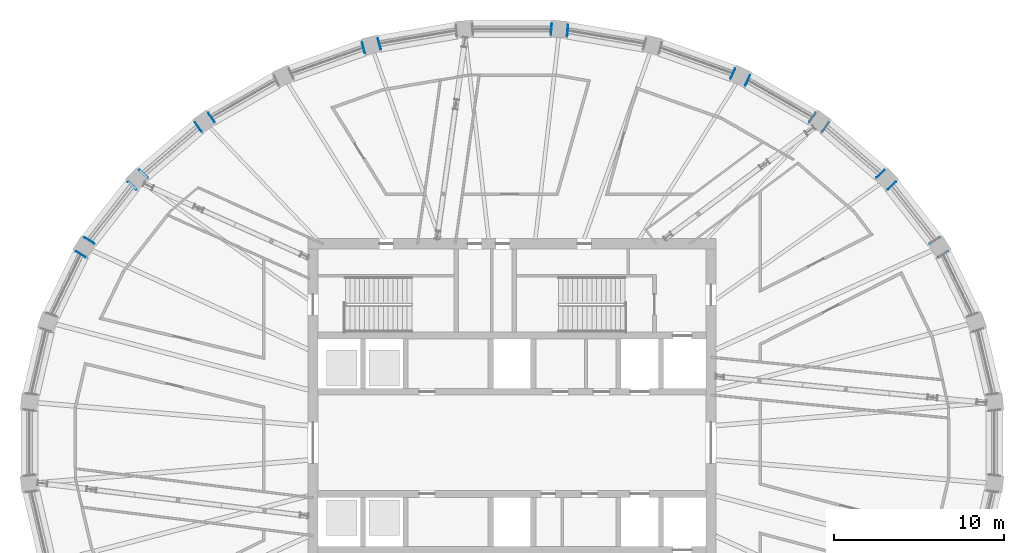
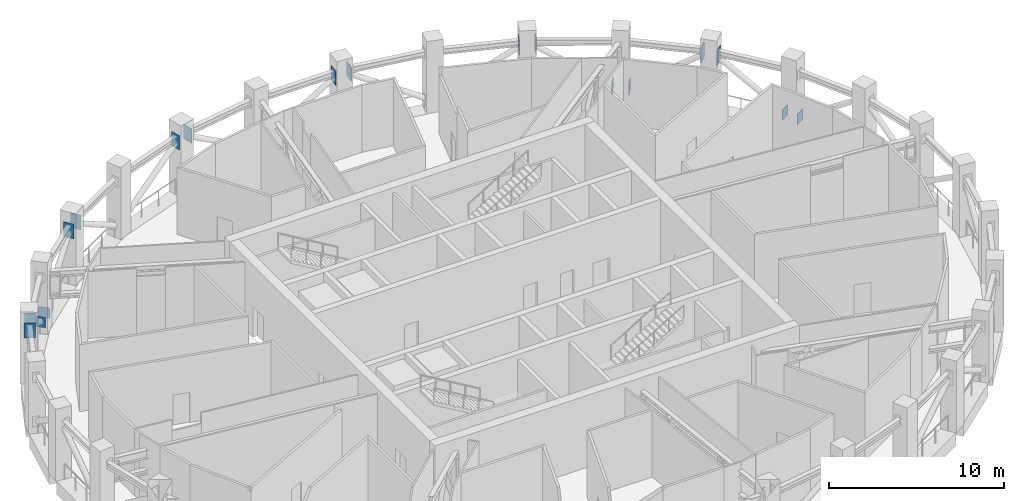
# One storey, part 14 of 20: 18 discrete accessories.
"""IFC4 building model written with IfcOpenShell, lengths in metres."""

from ifc_helpers import new_model, si_unit, direction, frame, origin, origin_2d, place, context, subcontext, project, spatial, rectangle, extrude, material, layer, layer_set, type_object, element, save


model = new_model("IFC4")

# Units and contexts
model_context = context("Model", 3, precision=1e-05, world=origin(), true_north=direction((0.0, 1.0)))
body_context = subcontext(model_context, "Body", "Model", "MODEL_VIEW")
ifc_project = project(units=[si_unit("LENGTHUNIT", "METRE"), si_unit("AREAUNIT", "SQUARE_METRE"), si_unit("VOLUMEUNIT", "CUBIC_METRE"), si_unit("PLANEANGLEUNIT", "RADIAN"), si_unit("MASSUNIT", "GRAM", prefix="KILO")], contexts=[model_context])

# Site, building, storey
site_placement = place(None, origin())
site = spatial("IfcSite", under=ifc_project, at=site_placement, CompositionType="ELEMENT")
building_placement = place(site_placement, origin())
building = spatial("IfcBuilding", under=site, at=building_placement, Name="Halqa Exchange Tower", CompositionType="ELEMENT")
storey_placement = place(building_placement, frame((0.0, 0.0, 328.300048828125)))
storey = spatial("IfcBuildingStorey", under=building, at=storey_placement, Name="L77", CompositionType="ELEMENT", Elevation=328.300048828125)

# Discrete accessories
ifc_material = material(Name="Steel S355", Category="steel")
ifc_layer = layer(ifc_material, 0.0400390625)
ifc_layer_set = layer_set([ifc_layer], Name="Steel S355")
discrete_accessory_type = type_object("IfcDiscreteAccessoryType", Name="Belt truss anchor plate 40", PredefinedType="ANCHORPLATE", material=ifc_layer_set)
discrete_accessory_1_placement = place(storey_placement, frame((24.849365234375, 11.879638671875, 0.81982421875), z_axis=(-0.530546985787, 0.847655529016, 0.0), x_axis=(-0.847655529016, -0.530546985787, 0.0)))
element("IfcDiscreteAccessory", 1, at=discrete_accessory_1_placement, inside=storey, type_object=discrete_accessory_type, Name="Belt truss anchor plate", PredefinedType="ANCHORPLATE", context=body_context, shape_type="SweptSolid", body=[
    extrude(rectangle(XDim=0.656005859375, YDim=0.72900390625, at=origin_2d()), origin(), (0.0, 0.0, 1.0), 0.0400390625),
])
discrete_accessory_2_placement = place(storey_placement, frame((25.3349609375, 11.098388671875, 0.8291015625), z_axis=(0.527815847616, -0.849358835243, 0.0), x_axis=(0.849358835243, 0.527815847616, 0.0)))
element("IfcDiscreteAccessory", 2, at=discrete_accessory_2_placement, inside=storey, type_object=discrete_accessory_type, Name="Belt truss anchor plate", PredefinedType="ANCHORPLATE", context=body_context, shape_type="SweptSolid", body=[
    extrude(rectangle(XDim=0.656005859375, YDim=0.73193359375, at=origin_2d()), origin(), (0.0, 0.0, 1.0), 0.040283203125),
])
discrete_accessory_3_placement = place(storey_placement, frame((21.678955078125, 15.79736328125, 3.739013671875), z_axis=(-0.691639439628, 0.722242954656, 0.0), x_axis=(-0.722242954656, -0.691639439628, 0.0)))
element("IfcDiscreteAccessory", 3, at=discrete_accessory_3_placement, inside=storey, type_object=discrete_accessory_type, Name="Belt truss anchor plate", PredefinedType="ANCHORPLATE", context=body_context, shape_type="SweptSolid", body=[
    extrude(rectangle(XDim=0.656005859375, YDim=1.02197265625, at=origin_2d()), origin(), (0.0, 0.0, 1.0), 0.039794921875),
])
discrete_accessory_4_placement = place(storey_placement, frame((22.314208984375, 15.1318359375, 3.733154296875), z_axis=(0.68858929503, -0.725151558483, 0.0), x_axis=(0.725151558483, 0.68858929503, 0.0)))
element("IfcDiscreteAccessory", 4, at=discrete_accessory_4_placement, inside=storey, type_object=discrete_accessory_type, Name="Belt truss anchor plate", PredefinedType="ANCHORPLATE", context=body_context, shape_type="SweptSolid", body=[
    extrude(rectangle(XDim=0.656005859375, YDim=1.033935546875, at=origin_2d()), origin(), (0.0, 0.0, 1.0), 0.0400390625),
])
discrete_accessory_5_placement = place(storey_placement, frame((17.6787109375, 19.1123046875, 0.80126953125), z_axis=(-0.81865747399, 0.57428210862, 0.0), x_axis=(-0.57428210862, -0.81865747399, 0.0)))
element("IfcDiscreteAccessory", 5, at=discrete_accessory_5_placement, inside=storey, type_object=discrete_accessory_type, Name="Belt truss anchor plate", PredefinedType="ANCHORPLATE", context=body_context, shape_type="SweptSolid", body=[
    extrude(rectangle(XDim=0.656005859375, YDim=0.720947265625, at=origin_2d()), origin(), (0.0, 0.0, 1.0), 0.0400390625),
])
discrete_accessory_6_placement = place(storey_placement, frame((18.430419921875, 18.581787109375, 0.810302734375), z_axis=(0.81865747399, -0.57428210862, 0.0), x_axis=(0.57428210862, 0.81865747399, 0.0)))
element("IfcDiscreteAccessory", 6, at=discrete_accessory_6_placement, inside=storey, type_object=discrete_accessory_type, Name="Belt truss anchor plate", PredefinedType="ANCHORPLATE", context=body_context, shape_type="SweptSolid", body=[
    extrude(rectangle(XDim=0.656005859375, YDim=0.72509765625, at=origin_2d()), origin(), (0.0, 0.0, 1.0), 0.0400390625),
])
discrete_accessory_7_placement = place(storey_placement, frame((12.999267578125, 21.69775390625, 3.74853515625), z_axis=(-0.9097381412, 0.415182507393, 0.0), x_axis=(-0.415182507393, -0.9097381412, 0.0)))
element("IfcDiscreteAccessory", 7, at=discrete_accessory_7_placement, inside=storey, type_object=discrete_accessory_type, Name="Belt truss anchor plate", PredefinedType="ANCHORPLATE", context=body_context, shape_type="SweptSolid", body=[
    extrude(rectangle(XDim=0.656005859375, YDim=1.0029296875, at=origin_2d()), origin(), (0.0, 0.0, 1.0), 0.0400390625),
])
discrete_accessory_8_placement = place(storey_placement, frame((13.835205078125, 21.313720703125, 3.744140625), z_axis=(0.90742390538, -0.420216439404, 0.0), x_axis=(0.420216439404, 0.90742390538, 0.0)))
element("IfcDiscreteAccessory", 8, at=discrete_accessory_8_placement, inside=storey, type_object=discrete_accessory_type, Name="Belt truss anchor plate", PredefinedType="ANCHORPLATE", context=body_context, shape_type="SweptSolid", body=[
    extrude(rectangle(XDim=0.656005859375, YDim=1.011962890625, at=origin_2d()), origin(), (0.0, 0.0, 1.0), 0.0400390625),
])
discrete_accessory_9_placement = place(storey_placement, frame((2.331787109375, 24.309814453125, 3.75146484375), z_axis=(-0.996331773833, 0.085574508182, 0.0), x_axis=(-0.085574508182, -0.996331773833, 0.0)))
element("IfcDiscreteAccessory", 9, at=discrete_accessory_9_placement, inside=storey, type_object=discrete_accessory_type, Name="Belt truss anchor plate", PredefinedType="ANCHORPLATE", context=body_context, shape_type="SweptSolid", body=[
    extrude(rectangle(XDim=0.656005859375, YDim=0.9970703125, at=origin_2d()), origin(), (0.0, 0.0, 1.0), 0.0400390625),
])
discrete_accessory_10_placement = place(storey_placement, frame((3.24853515625, 24.232421875, 3.750732421875), z_axis=(0.996331773833, -0.085574508182, 0.0), x_axis=(0.085574508182, 0.996331773833, 0.0)))
element("IfcDiscreteAccessory", 10, at=discrete_accessory_10_placement, inside=storey, type_object=discrete_accessory_type, Name="Belt truss anchor plate", PredefinedType="ANCHORPLATE", context=body_context, shape_type="SweptSolid", body=[
    extrude(rectangle(XDim=0.656005859375, YDim=0.9990234375, at=origin_2d()), origin(), (0.0, 0.0, 1.0), 0.0400390625),
])
discrete_accessory_11_placement = place(storey_placement, frame((-8.7080078125, 23.22119140625, 3.74853515625), z_axis=(-0.967941754644, -0.251174759116, 0.0), x_axis=(0.251174759116, -0.967941754644, 0.0)))
element("IfcDiscreteAccessory", 11, at=discrete_accessory_11_placement, inside=storey, type_object=discrete_accessory_type, Name="Belt truss anchor plate", PredefinedType="ANCHORPLATE", context=body_context, shape_type="SweptSolid", body=[
    extrude(rectangle(XDim=0.656005859375, YDim=1.0029296875, at=origin_2d()), origin(), (0.0, 0.0, 1.0), 0.039794921875),
])
discrete_accessory_12_placement = place(storey_placement, frame((-7.817626953125, 23.453125, 3.75048828125), z_axis=(0.966437683387, 0.256901156343, 0.0), x_axis=(-0.256901156343, 0.966437683387, 0.0)))
element("IfcDiscreteAccessory", 12, at=discrete_accessory_12_placement, inside=storey, type_object=discrete_accessory_type, Name="Belt truss anchor plate", PredefinedType="ANCHORPLATE", context=body_context, shape_type="SweptSolid", body=[
    extrude(rectangle(XDim=0.656005859375, YDim=0.9990234375, at=origin_2d()), origin(), (0.0, 0.0, 1.0), 0.039794921875),
])
discrete_accessory_13_placement = place(storey_placement, frame((-18.430419921875, 18.581787109375, 3.738525390625), z_axis=(-0.81865747399, -0.57428210862, 0.0), x_axis=(0.57428210862, -0.81865747399, 0.0)))
element("IfcDiscreteAccessory", 13, at=discrete_accessory_13_placement, inside=storey, type_object=discrete_accessory_type, Name="Belt truss anchor plate", PredefinedType="ANCHORPLATE", context=body_context, shape_type="SweptSolid", body=[
    extrude(rectangle(XDim=0.656005859375, YDim=1.02294921875, at=origin_2d()), origin(), (0.0, 0.0, 1.0), 0.0400390625),
])
discrete_accessory_14_placement = place(storey_placement, frame((-17.6787109375, 19.1123046875, 3.744140625), z_axis=(0.81865747399, 0.57428210862, 0.0), x_axis=(-0.57428210862, 0.81865747399, 0.0)))
element("IfcDiscreteAccessory", 14, at=discrete_accessory_14_placement, inside=storey, type_object=discrete_accessory_type, Name="Belt truss anchor plate", PredefinedType="ANCHORPLATE", context=body_context, shape_type="SweptSolid", body=[
    extrude(rectangle(XDim=0.656005859375, YDim=1.011962890625, at=origin_2d()), origin(), (0.0, 0.0, 1.0), 0.0400390625),
])
discrete_accessory_15_placement = place(storey_placement, frame((-22.314208984375, 15.1318359375, 0.8193359375), z_axis=(-0.68858929503, -0.725151558483, 0.0), x_axis=(0.725151558483, -0.68858929503, 0.0)))
element("IfcDiscreteAccessory", 15, at=discrete_accessory_15_placement, inside=storey, type_object=discrete_accessory_type, Name="Belt truss anchor plate", PredefinedType="ANCHORPLATE", context=body_context, shape_type="SweptSolid", body=[
    extrude(rectangle(XDim=0.656005859375, YDim=0.72900390625, at=origin_2d()), origin(), (0.0, 0.0, 1.0), 0.0400390625),
])
discrete_accessory_16_placement = place(storey_placement, frame((-21.678955078125, 15.79736328125, 0.809326171875), z_axis=(0.691639439628, 0.722242954656, 0.0), x_axis=(-0.722242954656, 0.691639439628, 0.0)))
element("IfcDiscreteAccessory", 16, at=discrete_accessory_16_placement, inside=storey, type_object=discrete_accessory_type, Name="Belt truss anchor plate", PredefinedType="ANCHORPLATE", context=body_context, shape_type="SweptSolid", body=[
    extrude(rectangle(XDim=0.656005859375, YDim=0.72509765625, at=origin_2d()), origin(), (0.0, 0.0, 1.0), 0.039794921875),
])
discrete_accessory_17_placement = place(storey_placement, frame((-25.3349609375, 11.098388671875, 3.727294921875), z_axis=(-0.527815847616, -0.849358835243, 0.0), x_axis=(0.849358835243, -0.527815847616, 0.0)))
element("IfcDiscreteAccessory", 17, at=discrete_accessory_17_placement, inside=storey, type_object=discrete_accessory_type, Name="Belt truss anchor plate", PredefinedType="ANCHORPLATE", context=body_context, shape_type="SweptSolid", body=[
    extrude(rectangle(XDim=0.656005859375, YDim=1.044921875, at=origin_2d()), origin(), (0.0, 0.0, 1.0), 0.040283203125),
])
discrete_accessory_18_placement = place(storey_placement, frame((-24.849365234375, 11.879638671875, 3.73291015625), z_axis=(0.530546985787, 0.847655529016, 0.0), x_axis=(-0.847655529016, 0.530546985787, 0.0)))
element("IfcDiscreteAccessory", 18, at=discrete_accessory_18_placement, inside=storey, type_object=discrete_accessory_type, Name="Belt truss anchor plate", PredefinedType="ANCHORPLATE", context=body_context, shape_type="SweptSolid", body=[
    extrude(rectangle(XDim=0.656005859375, YDim=1.033935546875, at=origin_2d()), origin(), (0.0, 0.0, 1.0), 0.0400390625),
])

save(model, "model.ifc")
